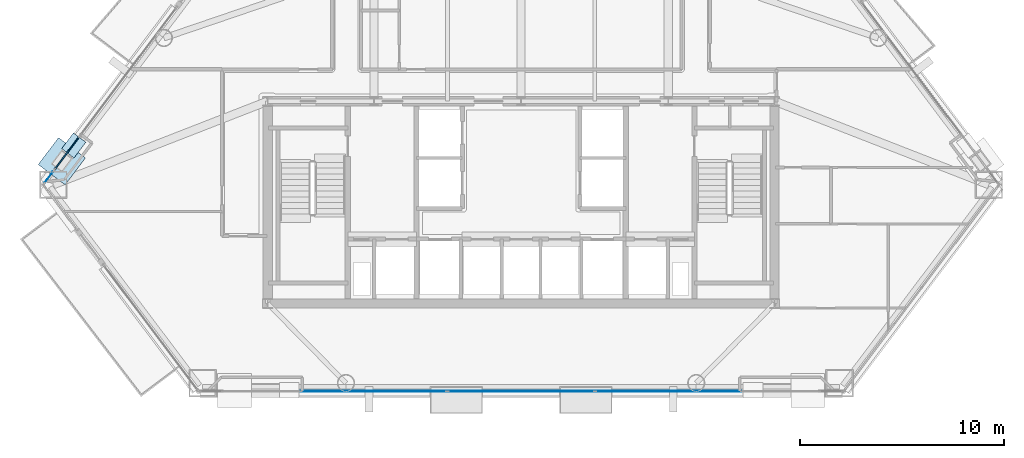
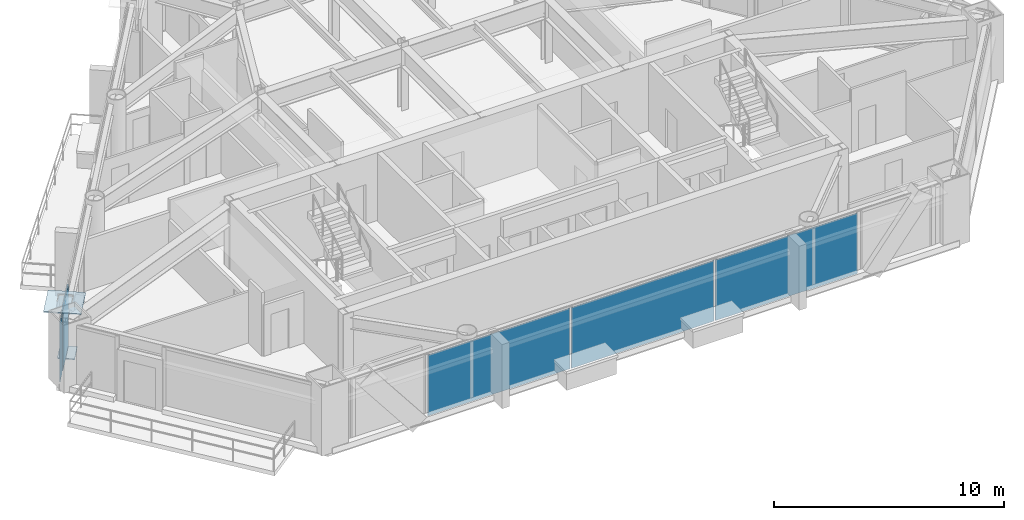
# One storey, part 6 of 14: 7 plates, 3 elements without a shape of their own.
"""IFC4 building model written with IfcOpenShell, lengths in metres."""

from ifc_helpers import new_model, si_unit, direction, frame, origin, origin_2d, place, context, subcontext, project, spatial, rectangle, extrude, source, transform, mapped, material, layer, layer_set, type_object, type_shapes, element, aggregate, save


model = new_model("IFC4")

# Units and contexts
model_context = context("Model", 3, precision=1e-05, world=origin(), true_north=direction((0.0, 1.0)))
body_context = subcontext(model_context, "Body", "Model", "MODEL_VIEW")
ifc_project = project(units=[si_unit("LENGTHUNIT", "METRE"), si_unit("AREAUNIT", "SQUARE_METRE"), si_unit("VOLUMEUNIT", "CUBIC_METRE"), si_unit("PLANEANGLEUNIT", "RADIAN"), si_unit("MASSUNIT", "GRAM", prefix="KILO")], contexts=[model_context])

# Site, building, storey
site_placement = place(None, origin())
site = spatial("IfcSite", under=ifc_project, at=site_placement, CompositionType="ELEMENT")
building_placement = place(site_placement, origin())
building = spatial("IfcBuilding", under=site, at=building_placement, Name="Talgorran Terracotta Tower", CompositionType="ELEMENT")
storey_placement = place(building_placement, frame((0.0, 0.0, 53.10009765625)))
storey = spatial("IfcBuildingStorey", under=building, at=storey_placement, Name="L13", CompositionType="ELEMENT", Elevation=53.10009765625)

# Plates
ifc_material_1 = material(Name="Steel Grade 350 (350L0)", Category="steel")
ifc_layer_1 = layer(ifc_material_1, 0.0400390625, Name="PL_CAP_MN05")
ifc_layer_set_1 = layer_set([ifc_layer_1], Name="Steel Grade 350 (350L0)")
plate_type_1 = type_object("IfcPlateType", Name="PL_CAP_MN05", PredefinedType="USERDEFINED", material=ifc_layer_set_1)
plate_1_placement = place(storey_placement, frame((-21.889892578125, -6.365478515625, -0.010009765625), z_axis=(0.0, 0.0, 1.0), x_axis=(-0.6013967761, -0.798950510167, 0.0)))
element("IfcPlate", 1, at=plate_1_placement, inside=storey, type_object=plate_type_1, Name="L13 Diagonal Frame End Cap NWL Bot", ObjectType="CAP PLATE", PredefinedType="USERDEFINED", context=body_context, shape_type="SweptSolid", body=[
    extrude(rectangle(XDim=0.9599609375, YDim=0.760009765625, at=origin_2d()), origin(), (0.0, 0.0, 1.0), 0.0400390625),
])
ifc_layer_2 = layer(ifc_material_1, 0.06005859375, Name="PL_NODE_MN01")
ifc_layer_set_2 = layer_set([ifc_layer_2], Name="Steel Grade 350 (350L0)")
plate_type_2 = type_object("IfcPlateType", Name="PL_NODE_MN01", PredefinedType="USERDEFINED", material=ifc_layer_set_2)
plate_2_placement = place(storey_placement, frame((-22.471435546875, -7.13818359375, 3.309814453125), z_axis=(0.0, 0.0, 1.0), x_axis=(-0.6013967761, -0.798950510167, 0.0)))
element("IfcPlate", 2, at=plate_2_placement, inside=storey, type_object=plate_type_2, Name="L13 Diagonal Frame End Cap NWL Top", ObjectType="NODE PLATE", PredefinedType="USERDEFINED", context=body_context, shape_type="SweptSolid", body=[
    extrude(rectangle(XDim=1.64990234375, YDim=1.64990234375, at=origin_2d()), origin(), (0.0, 0.0, 1.0), 0.06005859375),
])

# Curtain wall, plates
ifc_material_2 = material(Name="Unitised Low-E Double Glazing", Category="glass")
ifc_layer_3 = layer(ifc_material_2, 0.199951171875, Name="CW_SYS2_RES_LOW")
ifc_layer_set_3 = layer_set([ifc_layer_3], Name="Unitised Low-E Double Glazing")
curtain_wall_type = type_object("IfcCurtainWallType", Name="CW_SYS2_RES_LOW", PredefinedType="NOTDEFINED", material=ifc_layer_set_3)
curtain_wall_1_placement = place(storey_placement, origin())
curtain_wall_1 = element("IfcCurtainWall", 3, at=curtain_wall_1_placement, inside=storey, type_object=curtain_wall_type, Name="CW-L13-F1C", PredefinedType="NOTDEFINED")
ifc_material_3 = material(Name="Low-E Laminated Vision Glass", Category="glass")
ifc_layer_4 = layer(ifc_material_3, 0.028076171875, Name="PLT_VISION_28")
ifc_layer_set_4 = layer_set([ifc_layer_4], Name="Low-E Laminated Vision Glass")
plate_type_3 = type_object("IfcPlateType", Name="PLT_VISION_28", PredefinedType="CURTAIN_PANEL", material=ifc_layer_set_4)
shared_shape_1 = source(origin(), body_context, "Body", "SweptSolid", [
    extrude(rectangle(XDim=7.1279296875, YDim=0.028076171875, at=origin_2d()), origin(), (0.0, 0.0, 1.0), 3.219970703125),
])
plate_3_placement = place(storey_placement, frame((-7.209228515625, -18.39111328125, 0.06494140625), z_axis=(0.0, 0.0, 1.0), x_axis=(1.0, 0.0, 0.0)))
plate_3 = element("IfcPlate", 4, at=plate_3_placement, type_object=plate_type_3, Name="CW-L13-1C panel 1.1", PredefinedType="CURTAIN_PANEL", context=body_context, shape_type="MappedRepresentation", body=[
    mapped(shared_shape_1, transform((0.0, 0.0, 0.0), scale=1.0)),
])
plate_4_placement = place(storey_placement, frame((7.209228515625, -18.39111328125, 0.06494140625), z_axis=(0.0, 0.0, 1.0), x_axis=(1.0, 0.0, 0.0)))
plate_4 = element("IfcPlate", 5, at=plate_4_placement, type_object=plate_type_3, Name="CW-L13-1C panel 3.1", PredefinedType="CURTAIN_PANEL", context=body_context, shape_type="MappedRepresentation", body=[
    mapped(shared_shape_1, transform((0.0, 0.0, 0.0), scale=1.0)),
])
shared_shape_2 = source(origin(), body_context, "Body", "SweptSolid", [
    extrude(rectangle(XDim=7.160400390625, YDim=0.028076171875, at=origin_2d()), origin(), (0.0, 0.0, 1.0), 3.219970703125),
])
plate_5_placement = place(storey_placement, frame((0.0, -18.39111328125, 0.06494140625), z_axis=(0.0, 0.0, 1.0), x_axis=(1.0, 0.0, 0.0)))
plate_5 = element("IfcPlate", 6, at=plate_5_placement, type_object=plate_type_3, Name="CW-L13-1C panel 2.1", PredefinedType="CURTAIN_PANEL", context=body_context, shape_type="MappedRepresentation", body=[
    mapped(shared_shape_2, transform((0.0, 0.0, 0.0), scale=1.0)),
])
aggregate(curtain_wall_1, [plate_3, plate_5, plate_4])

# Curtain wall, plate
curtain_wall_2_placement = place(storey_placement, origin())
curtain_wall_2 = element("IfcCurtainWall", 7, at=curtain_wall_2_placement, inside=storey, type_object=curtain_wall_type, Name="CW-L13-F61C", PredefinedType="NOTDEFINED")
shared_shape_3 = source(origin(), body_context, "Body", "SweptSolid", [
    extrude(rectangle(XDim=0.709716796875, YDim=0.028076171875, at=origin_2d()), origin(), (0.0, 0.0, 1.0), 3.219970703125),
])
type_shapes(plate_type_3, [shared_shape_1, shared_shape_2, shared_shape_3])
plate_6_placement = place(storey_placement, frame((-23.109375, -7.919189453125, 0.06494140625), z_axis=(0.0, 0.0, 1.0), x_axis=(-0.601447254192, -0.798912511121, 0.0)))
plate_6 = element("IfcPlate", 8, at=plate_6_placement, type_object=plate_type_3, Name="CW-L13-61C panel 1.1", PredefinedType="CURTAIN_PANEL", context=body_context, shape_type="MappedRepresentation", body=[
    mapped(shared_shape_3, transform((0.0, 0.0, 0.0), scale=1.0)),
])
aggregate(curtain_wall_2, [plate_6])

curtain_wall_3_placement = place(storey_placement, origin())
curtain_wall_3 = element("IfcCurtainWall", 9, at=curtain_wall_3_placement, inside=storey, type_object=curtain_wall_type, Name="CW-L13-F61B", PredefinedType="NOTDEFINED")
ifc_material_4 = material(Name="Terracotta Insulated Spandrel", Category="masonry")
ifc_layer_5 = layer(ifc_material_4, 0.06494140625, Name="PLT_SPANDREL_TERRA")
ifc_layer_set_5 = layer_set([ifc_layer_5], Name="Terracotta Insulated Spandrel")
plate_type_4 = type_object("IfcPlateType", Name="PLT_SPANDREL_TERRA", PredefinedType="SHEET", material=ifc_layer_set_5)
shared_shape_4 = source(origin(), body_context, "Body", "SweptSolid", [
    extrude(rectangle(XDim=1.99267578125, YDim=0.06494140625, at=origin_2d()), origin(), (0.0, 0.0, 1.0), 3.219970703125),
])
type_shapes(plate_type_4, [shared_shape_4])
plate_7_placement = place(storey_placement, frame((-22.212646484375, -6.727783203125, 0.06494140625), z_axis=(0.0, 0.0, 1.0), x_axis=(-0.601438674906, -0.798918969813, 0.0)))
plate_7 = element("IfcPlate", 10, at=plate_7_placement, type_object=plate_type_4, Name="CW-L13-61B panel 1.1", PredefinedType="CURTAIN_PANEL", context=body_context, shape_type="MappedRepresentation", body=[
    mapped(shared_shape_4, transform((0.0, 0.0, 0.0), scale=1.0)),
])
aggregate(curtain_wall_3, [plate_7])

save(model, "model.ifc")
